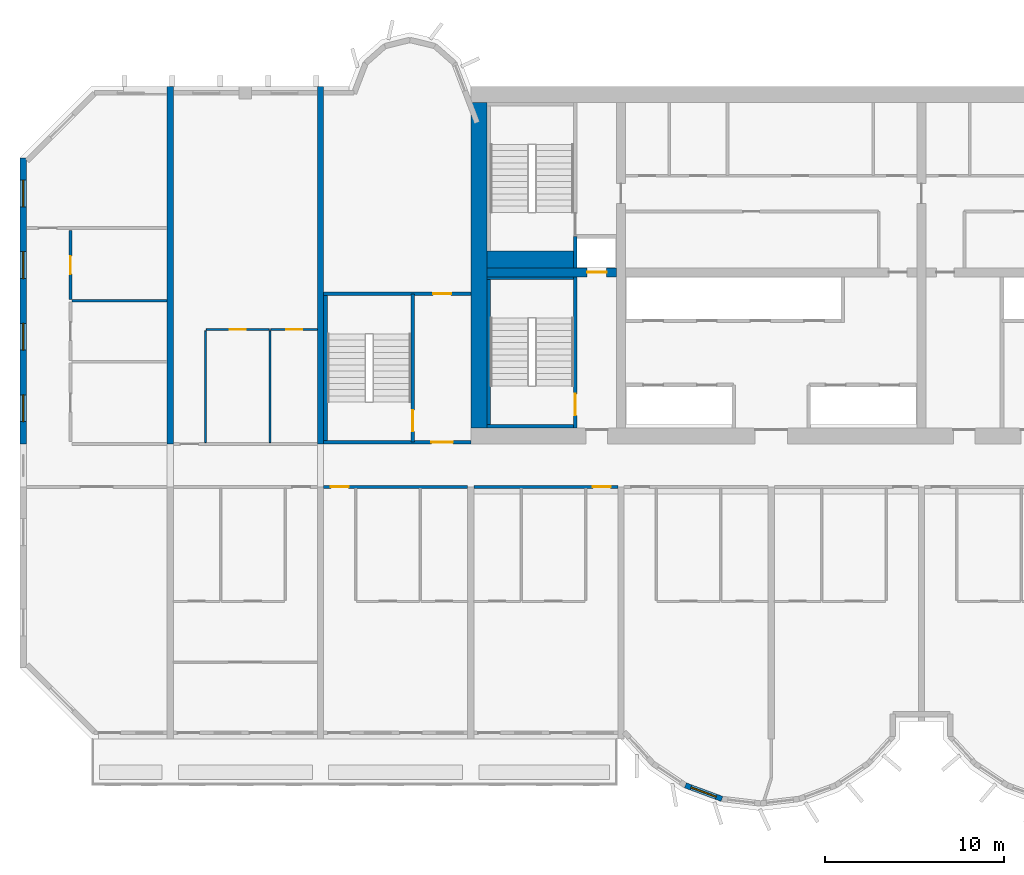
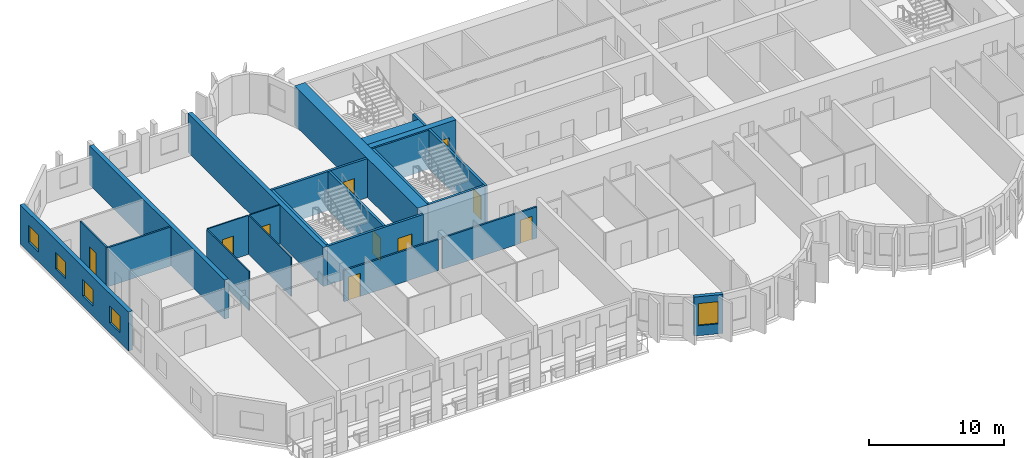
# One storey, part 4 of 14: 24 walls, 10 doors, 5 windows, 15 openings.
"""IFC4 building model written with IfcOpenShell, lengths in metres."""

from ifc_helpers import new_model, si_unit, direction, frame, frame_2d, origin, place, context, subcontext, project, spatial, rectangle, extrude, source, transform, mapped, material, layer, layer_set, type_object, element, fill, save


model = new_model("IFC4")

# Units and contexts
model_context = context("Model", 3, precision=1e-05, world=origin(), true_north=direction((0.0, 1.0)))
body_context = subcontext(model_context, "Body", "Model", "MODEL_VIEW")
ifc_project = project(units=[si_unit("LENGTHUNIT", "METRE"), si_unit("AREAUNIT", "SQUARE_METRE"), si_unit("VOLUMEUNIT", "CUBIC_METRE"), si_unit("PLANEANGLEUNIT", "RADIAN"), si_unit("MASSUNIT", "GRAM", prefix="KILO")], contexts=[model_context])

# Site, building, storey
site_placement = place(None, origin())
site = spatial("IfcSite", under=ifc_project, at=site_placement, CompositionType="ELEMENT")
building_placement = place(site_placement, origin())
building = spatial("IfcBuilding", under=site, at=building_placement, Name="Vanashikhar Sky Hotel", CompositionType="ELEMENT")
storey_placement = place(building_placement, frame((0.0, 0.0, 121.800048828125)))
storey = spatial("IfcBuildingStorey", under=building, at=storey_placement, Name="L29", CompositionType="ELEMENT", Elevation=121.800048828125)

# Wall
ifc_material_1 = material(Name="Concrete M70", Category="concrete")
ifc_layer_1 = layer(ifc_material_1, 0.89990234375)
ifc_layer_set_1 = layer_set([ifc_layer_1], Name="RC core shell wall 900 Concrete M70")
wall_type_1 = type_object("IfcWallType", Name="RC core shell wall 900 Concrete M70", PredefinedType="SHEAR", material=ifc_layer_set_1)
shared_shape_1 = source(origin(), body_context, "Body", "SweptSolid", [
    extrude(rectangle(XDim=18.2001953125, YDim=0.89990234375, at=frame_2d((9.10009765625, 0.0))), origin(), (0.0, 0.0, 1.0), 3.52001953125),
])
wall_1_placement = place(storey_placement, frame((25.64990234375, 22.89990234375, 0.0), z_axis=(0.0, 0.0, 1.0), x_axis=(0.0, 1.0, 0.0)))
element("IfcWall", 1, at=wall_1_placement, inside=storey, type_object=wall_type_1, Name="KW-L29-KW", PredefinedType="SHEAR", context=body_context, shape_type="MappedRepresentation", body=[
    mapped(shared_shape_1, transform((0.0, 0.0, 0.0), scale=1.0)),
])

# Wall, opening, door
ifc_layer_2 = layer(ifc_material_1, 0.5)
ifc_layer_set_2 = layer_set([ifc_layer_2], Name="RC core inner wall 500 Concrete M70")
wall_type_2 = type_object("IfcWallType", Name="RC core inner wall 500 Concrete M70", PredefinedType="SHEAR", material=ifc_layer_set_2)
shared_shape_2 = source(origin(), body_context, "Body", "SweptSolid", [
    extrude(rectangle(XDim=7.25, YDim=0.5, at=frame_2d((3.625, 0.0))), origin(), (0.0, 0.0, 1.0), 3.52001953125),
])
wall_2_placement = place(storey_placement, frame((26.10009765625, 31.60009765625, 0.0), z_axis=(0.0, 0.0, 1.0), x_axis=(1.0, 0.0, 0.0)))
wall_2 = element("IfcWall", 2, at=wall_2_placement, inside=storey, type_object=wall_type_2, Name="KW-L29-KY1", PredefinedType="SHEAR", context=body_context, shape_type="MappedRepresentation", body=[
    mapped(shared_shape_2, transform((0.0, 0.0, 0.0), scale=1.0)),
])
shared_shape_3 = source(origin(), body_context, "Body", "SweptSolid", [
    extrude(rectangle(XDim=1.10009765625, YDim=2.10009765625, at=frame_2d((0.550048828125, 1.050048828125))), frame((0.0, 0.260009765625, 0.0), z_axis=(0.0, -1.0, 0.0), x_axis=(1.0, 0.0, 0.0)), (0.0, 0.0, 1.0), 0.52001953125),
])
opening_1_placement = place(wall_2_placement, frame((5.60009765625, 0.0, 0.0)))
opening_1 = element("IfcOpeningElement", 3, at=opening_1_placement, cuts=wall_2, Name="Opening LD", PredefinedType="OPENING", context=body_context, shape_type="MappedRepresentation", body=[
    mapped(shared_shape_3, transform((0.0, 0.0, 0.0), scale=1.0)),
])
ifc_material_2 = material(Name="Stainless steel", Category="steel")
door_type_1 = type_object("IfcDoorType", Name="Lift landing door 1100", OperationType="NOTDEFINED", PredefinedType="DOOR", material=ifc_material_2)
shared_shape_4 = source(origin(), body_context, "Body", "SweptSolid", [
    extrude(rectangle(XDim=1.10009765625, YDim=2.10009765625, at=frame_2d((0.550048828125, 1.050048828125))), frame((0.0, 0.02490234375, 0.0), z_axis=(0.0, -1.0, 0.0), x_axis=(1.0, 0.0, 0.0)), (0.0, 0.0, 1.0), 0.050048828125),
])
door_1_placement = place(opening_1_placement, origin())
door_1 = element("IfcDoor", 4, at=door_1_placement, inside=storey, type_object=door_type_1, Name="Lift landing door 1100", OperationType="SLIDING_TO_LEFT", OverallHeight=2.10009765625, OverallWidth=1.10009765625, PredefinedType="DOOR", context=body_context, shape_type="MappedRepresentation", body=[
    mapped(shared_shape_4, transform((0.0, 0.0, 0.0), scale=1.0)),
])
fill(opening_1, door_1)

# Wall, openings, windows
ifc_layer_3 = layer(ifc_material_1, 0.35009765625)
ifc_layer_set_3 = layer_set([ifc_layer_3], Name="RC shear wall 350 Concrete M70")
wall_type_3 = type_object("IfcWallType", Name="RC shear wall 350 Concrete M70", PredefinedType="SHEAR", material=ifc_layer_set_3)
shared_shape_5 = source(origin(), body_context, "Body", "SweptSolid", [
    extrude(rectangle(XDim=16.0, YDim=0.35009765625, at=frame_2d((8.0, 0.0))), origin(), (0.0, 0.0, 1.0), 3.52001953125),
])
wall_3_placement = place(storey_placement, frame((0.175048828125, 22.0, 0.0), z_axis=(0.0, 0.0, 1.0), x_axis=(0.0, 1.0, 0.0)))
wall_3 = element("IfcWall", 5, at=wall_3_placement, inside=storey, type_object=wall_type_3, Name="CW-L29-XW01-2", PredefinedType="SHEAR", context=body_context, shape_type="MappedRepresentation", body=[
    mapped(shared_shape_5, transform((0.0, 0.0, 0.0), scale=1.0)),
])
shared_shape_6 = source(origin(), body_context, "Body", "SweptSolid", [
    extrude(rectangle(XDim=1.5, YDim=1.5, at=frame_2d((0.75, 0.75))), frame((0.0, 0.18505859375, 0.0), z_axis=(0.0, -1.0, 0.0), x_axis=(1.0, 0.0, 0.0)), (0.0, 0.0, 1.0), 0.3701171875),
])
opening_2_placement = place(wall_3_placement, frame((1.25, 0.0, 0.89990234375)))
opening_2 = element("IfcOpeningElement", 6, at=opening_2_placement, cuts=wall_3, Name="Opening WN-1", PredefinedType="OPENING", context=body_context, shape_type="MappedRepresentation", body=[
    mapped(shared_shape_6, transform((0.0, 0.0, 0.0), scale=1.0)),
])
opening_3_placement = place(wall_3_placement, frame((5.25, 0.0, 0.89990234375)))
opening_3 = element("IfcOpeningElement", 7, at=opening_3_placement, cuts=wall_3, Name="Opening WN-1", PredefinedType="OPENING", context=body_context, shape_type="MappedRepresentation", body=[
    mapped(shared_shape_6, transform((0.0, 0.0, 0.0), scale=1.0)),
])
opening_4_placement = place(wall_3_placement, frame((9.25, 0.0, 0.89990234375)))
opening_4 = element("IfcOpeningElement", 8, at=opening_4_placement, cuts=wall_3, Name="Opening WN-1", PredefinedType="OPENING", context=body_context, shape_type="MappedRepresentation", body=[
    mapped(shared_shape_6, transform((0.0, 0.0, 0.0), scale=1.0)),
])
opening_5_placement = place(wall_3_placement, frame((13.25, 0.0, 0.89990234375)))
opening_5 = element("IfcOpeningElement", 9, at=opening_5_placement, cuts=wall_3, Name="Opening WN-1", PredefinedType="OPENING", context=body_context, shape_type="MappedRepresentation", body=[
    mapped(shared_shape_6, transform((0.0, 0.0, 0.0), scale=1.0)),
])
ifc_material_3 = material(Name="Glass", Category="glass")
window_type_1 = type_object("IfcWindowType", Name="Window 1500 x 1500", PartitioningType="SINGLE_PANEL", PredefinedType="WINDOW", material=ifc_material_3)
shared_shape_7 = source(origin(), body_context, "Body", "SweptSolid", [
    extrude(rectangle(XDim=1.5, YDim=1.5, at=frame_2d((0.75, 0.75))), frame((0.0, 0.030029296875, 0.0), z_axis=(0.0, -1.0, 0.0), x_axis=(1.0, 0.0, 0.0)), (0.0, 0.0, 1.0), 0.06005859375),
])
window_1_placement = place(opening_2_placement, origin())
window_1 = element("IfcWindow", 10, at=window_1_placement, inside=storey, type_object=window_type_1, Name="Window WN-1", OverallHeight=1.5, OverallWidth=1.5, PartitioningType="SINGLE_PANEL", PredefinedType="WINDOW", context=body_context, shape_type="MappedRepresentation", body=[
    mapped(shared_shape_7, transform((0.0, 0.0, 0.0), scale=1.0)),
])
fill(opening_2, window_1)
window_2_placement = place(opening_3_placement, origin())
window_2 = element("IfcWindow", 11, at=window_2_placement, inside=storey, type_object=window_type_1, Name="Window WN-1", OverallHeight=1.5, OverallWidth=1.5, PartitioningType="SINGLE_PANEL", PredefinedType="WINDOW", context=body_context, shape_type="MappedRepresentation", body=[
    mapped(shared_shape_7, transform((0.0, 0.0, 0.0), scale=1.0)),
])
fill(opening_3, window_2)
window_3_placement = place(opening_4_placement, origin())
window_3 = element("IfcWindow", 12, at=window_3_placement, inside=storey, type_object=window_type_1, Name="Window WN-1", OverallHeight=1.5, OverallWidth=1.5, PartitioningType="SINGLE_PANEL", PredefinedType="WINDOW", context=body_context, shape_type="MappedRepresentation", body=[
    mapped(shared_shape_7, transform((0.0, 0.0, 0.0), scale=1.0)),
])
fill(opening_4, window_3)
window_4_placement = place(opening_5_placement, origin())
window_4 = element("IfcWindow", 13, at=window_4_placement, inside=storey, type_object=window_type_1, Name="Window WN-1", OverallHeight=1.5, OverallWidth=1.5, PartitioningType="SINGLE_PANEL", PredefinedType="WINDOW", context=body_context, shape_type="MappedRepresentation", body=[
    mapped(shared_shape_7, transform((0.0, 0.0, 0.0), scale=1.0)),
])
fill(opening_5, window_4)

# Walls
shared_shape_8 = source(origin(), body_context, "Body", "SweptSolid", [
    extrude(rectangle(XDim=20.0, YDim=0.35009765625, at=frame_2d((10.0, 0.0))), origin(), (0.0, 0.0, 1.0), 3.52001953125),
])
for number, where, z_axis, x_axis, name in (
    (14, (8.39990234375, 22.0, 0.0), (0.0, 0.0, 1.0), (0.0, 1.0, 0.0), "CW-L29-XW02-2"),
    (15, (16.800048828125, 22.0, 0.0), (0.0, 0.0, 1.0), (0.0, 1.0, 0.0), "CW-L29-XW03-2"),
):
    element("IfcWall", number, at=place(storey_placement, frame(where, z_axis=z_axis, x_axis=x_axis)), inside=storey, type_object=wall_type_3, Name=name, PredefinedType="SHEAR", context=body_context, shape_type="MappedRepresentation", body=[
        mapped(shared_shape_8, transform((0.0, 0.0, 0.0), scale=1.0)),
    ])

# Wall, opening, window
ifc_material_4 = material(Name="Concrete M50", Category="concrete")
ifc_layer_4 = layer(ifc_material_4, 0.300048828125)
ifc_layer_set_4 = layer_set([ifc_layer_4], Name="Lobe wall 300")
wall_type_4 = type_object("IfcWallType", Name="Lobe wall 300", PredefinedType="SOLIDWALL", material=ifc_layer_set_4)
shared_shape_9 = source(origin(), body_context, "Body", "SweptSolid", [
    extrude(rectangle(XDim=2.17578125, YDim=0.300048828125, at=frame_2d((1.087890625, 0.0))), origin(), (0.0, 0.0, 1.0), 3.52001953125),
])
wall_4_placement = place(storey_placement, frame((37.20068359375, 2.91650390625, 0.0), z_axis=(0.0, 0.0, 1.0), x_axis=(0.93754555999, -0.347862505801, 0.0)))
wall_4 = element("IfcWall", 16, at=wall_4_placement, inside=storey, type_object=wall_type_4, Name="Lobe wall", PredefinedType="SOLIDWALL", context=body_context, shape_type="MappedRepresentation", body=[
    mapped(shared_shape_9, transform((0.0, 0.0, 0.0), scale=1.0)),
])
shared_shape_10 = source(origin(), body_context, "Body", "SweptSolid", [
    extrude(rectangle(XDim=1.5, YDim=2.0, at=frame_2d((0.75, 1.0))), frame((0.0, 0.16015625, 0.0), z_axis=(0.0, -1.0, 0.0), x_axis=(1.0, 0.0, 0.0)), (0.0, 0.0, 1.0), 0.320068359375),
])
opening_6_placement = place(wall_4_placement, frame((0.337890625, 0.0, 0.89990234375)))
opening_6 = element("IfcOpeningElement", 17, at=opening_6_placement, cuts=wall_4, Name="Opening WN-2", PredefinedType="OPENING", context=body_context, shape_type="MappedRepresentation", body=[
    mapped(shared_shape_10, transform((0.0, 0.0, 0.0), scale=1.0)),
])
window_type_2 = type_object("IfcWindowType", Name="Lobe window 1500 x 2000", PartitioningType="SINGLE_PANEL", PredefinedType="WINDOW", material=ifc_material_3)
shared_shape_11 = source(origin(), body_context, "Body", "SweptSolid", [
    extrude(rectangle(XDim=1.5, YDim=2.0, at=frame_2d((0.75, 1.0))), frame((0.0, 0.030029296875, 0.0), z_axis=(0.0, -1.0, 0.0), x_axis=(1.0, 0.0, 0.0)), (0.0, 0.0, 1.0), 0.06005859375),
])
window_5_placement = place(opening_6_placement, origin())
window_5 = element("IfcWindow", 18, at=window_5_placement, inside=storey, type_object=window_type_2, Name="Window WN-2", OverallHeight=2.0, OverallWidth=1.5, PartitioningType="SINGLE_PANEL", PredefinedType="WINDOW", context=body_context, shape_type="MappedRepresentation", body=[
    mapped(shared_shape_11, transform((0.0, 0.0, 0.0), scale=1.0)),
])
fill(opening_6, window_5)

# Wall, opening, door
ifc_layer_5 = layer(ifc_material_4, 0.199951171875)
ifc_layer_set_5 = layer_set([ifc_layer_5], Name="Stair wall 200")
wall_type_5 = type_object("IfcWallType", Name="Stair wall 200", PredefinedType="SOLIDWALL", material=ifc_layer_set_5)
shared_shape_12 = source(origin(), body_context, "Body", "SweptSolid", [
    extrude(rectangle(XDim=8.2998046875, YDim=0.199951171875, at=frame_2d((4.14990234375, 0.0))), origin(), (0.0, 0.0, 1.0), 3.52001953125),
])
wall_5_placement = place(storey_placement, frame((21.949951171875, 22.10009765625, 0.0), z_axis=(0.0, 0.0, 1.0), x_axis=(0.0, 1.0, 0.0)))
wall_5 = element("IfcWall", 19, at=wall_5_placement, inside=storey, type_object=wall_type_5, Name="Stair wall 200", PredefinedType="SOLIDWALL", context=body_context, shape_type="MappedRepresentation", body=[
    mapped(shared_shape_12, transform((0.0, 0.0, 0.0), scale=1.0)),
])
shared_shape_13 = source(origin(), body_context, "Body", "SweptSolid", [
    extrude(rectangle(XDim=1.199951171875, YDim=2.10009765625, at=frame_2d((0.60009765625, 1.050048828125))), frame((0.0, 0.10986328125, 0.0), z_axis=(0.0, -1.0, 0.0), x_axis=(1.0, 0.0, 0.0)), (0.0, 0.0, 1.0), 0.219970703125),
])
opening_7_placement = place(wall_5_placement, frame((0.60009765625, 0.0, 0.0)))
opening_7 = element("IfcOpeningElement", 20, at=opening_7_placement, cuts=wall_5, Name="Opening DC-1", PredefinedType="OPENING", context=body_context, shape_type="MappedRepresentation", body=[
    mapped(shared_shape_13, transform((0.0, 0.0, 0.0), scale=1.0)),
])
ifc_material_5 = material(Name="Steel", Category="steel")
door_type_2 = type_object("IfcDoorType", Name="Stair door 1200 FD120", OperationType="NOTDEFINED", PredefinedType="DOOR", material=ifc_material_5)
shared_shape_14 = source(origin(), body_context, "Body", "SweptSolid", [
    extrude(rectangle(XDim=1.199951171875, YDim=2.10009765625, at=frame_2d((0.60009765625, 1.050048828125))), frame((0.0, 0.02490234375, 0.0), z_axis=(0.0, -1.0, 0.0), x_axis=(1.0, 0.0, 0.0)), (0.0, 0.0, 1.0), 0.050048828125),
])
door_2_placement = place(opening_7_placement, origin())
door_2 = element("IfcDoor", 21, at=door_2_placement, inside=storey, type_object=door_type_2, Name="Stair door 1200 FD120", OperationType="SINGLE_SWING_RIGHT", OverallHeight=2.10009765625, OverallWidth=1.199951171875, PredefinedType="DOOR", context=body_context, shape_type="MappedRepresentation", body=[
    mapped(shared_shape_14, transform((0.0, 0.0, 0.0), scale=1.0)),
])
fill(opening_7, door_2)

shared_shape_15 = source(origin(), body_context, "Body", "SweptSolid", [
    extrude(rectangle(XDim=8.4501953125, YDim=0.199951171875, at=frame_2d((4.22509765625, 0.0))), origin(), (0.0, 0.0, 1.0), 3.52001953125),
])
wall_6_placement = place(storey_placement, frame((31.050048828125, 22.89990234375, 0.0), z_axis=(0.0, 0.0, 1.0), x_axis=(0.0, 1.0, 0.0)))
wall_6 = element("IfcWall", 22, at=wall_6_placement, inside=storey, type_object=wall_type_5, Name="Stair wall 200", PredefinedType="SOLIDWALL", context=body_context, shape_type="MappedRepresentation", body=[
    mapped(shared_shape_15, transform((0.0, 0.0, 0.0), scale=1.0)),
])
opening_8_placement = place(wall_6_placement, frame((0.699951171875, 0.0, 0.0)))
opening_8 = element("IfcOpeningElement", 23, at=opening_8_placement, cuts=wall_6, Name="Opening DC-1", PredefinedType="OPENING", context=body_context, shape_type="MappedRepresentation", body=[
    mapped(shared_shape_13, transform((0.0, 0.0, 0.0), scale=1.0)),
])
door_3_placement = place(opening_8_placement, origin())
door_3 = element("IfcDoor", 24, at=door_3_placement, inside=storey, type_object=door_type_2, Name="Stair door 1200 FD120", OperationType="SINGLE_SWING_LEFT", OverallHeight=2.10009765625, OverallWidth=1.199951171875, PredefinedType="DOOR", context=body_context, shape_type="MappedRepresentation", body=[
    mapped(shared_shape_14, transform((0.0, 0.0, 0.0), scale=1.0)),
])
fill(opening_8, door_3)

# Wall
ifc_material_6 = material(Name="Concrete M40", Category="concrete")
ifc_layer_6 = layer(ifc_material_6, 0.199951171875)
ifc_layer_set_6 = layer_set([ifc_layer_6], Name="Shaft wall 200")
wall_type_6 = type_object("IfcWallType", Name="Shaft wall 200", PredefinedType="SOLIDWALL", material=ifc_layer_set_6)
shared_shape_16 = source(origin(), body_context, "Body", "SweptSolid", [
    extrude(rectangle(XDim=1.75, YDim=0.199951171875, at=frame_2d((0.875, 0.0))), origin(), (0.0, 0.0, 1.0), 3.52001953125),
])
wall_7_placement = place(storey_placement, frame((31.050048828125, 31.85009765625, 0.0), z_axis=(0.0, 0.0, 1.0), x_axis=(0.0, 1.0, 0.0)))
element("IfcWall", 25, at=wall_7_placement, inside=storey, type_object=wall_type_6, Name="Shaft wall 200", PredefinedType="SOLIDWALL", context=body_context, shape_type="MappedRepresentation", body=[
    mapped(shared_shape_16, transform((0.0, 0.0, 0.0), scale=1.0)),
])

# Wall, opening, door
shared_shape_17 = source(origin(), body_context, "Body", "SweptSolid", [
    extrude(rectangle(XDim=8.224853515625, YDim=0.199951171875, at=frame_2d((4.1123046875, 0.0))), origin(), (0.0, 0.0, 1.0), 3.52001953125),
])
wall_8_placement = place(storey_placement, frame((16.97509765625, 22.10009765625, 0.0), z_axis=(0.0, 0.0, 1.0), x_axis=(1.0, 0.0, 0.0)))
wall_8 = element("IfcWall", 26, at=wall_8_placement, inside=storey, type_object=wall_type_5, Name="Stair wall 200", PredefinedType="SOLIDWALL", context=body_context, shape_type="MappedRepresentation", body=[
    mapped(shared_shape_17, transform((0.0, 0.0, 0.0), scale=1.0)),
])
opening_9_placement = place(wall_8_placement, frame((6.02490234375, 0.0, 0.0)))
opening_9 = element("IfcOpeningElement", 27, at=opening_9_placement, cuts=wall_8, Name="Opening DC-2", PredefinedType="OPENING", context=body_context, shape_type="MappedRepresentation", body=[
    mapped(shared_shape_13, transform((0.0, 0.0, 0.0), scale=1.0)),
])
door_type_3 = type_object("IfcDoorType", Name="Firefighting lobby door 1200 FD120", OperationType="NOTDEFINED", PredefinedType="DOOR", material=ifc_material_5)
door_4_placement = place(opening_9_placement, origin())
door_4 = element("IfcDoor", 28, at=door_4_placement, inside=storey, type_object=door_type_3, Name="Firefighting lobby door 1200 FD120", OperationType="SINGLE_SWING_LEFT", OverallHeight=2.10009765625, OverallWidth=1.199951171875, PredefinedType="DOOR", context=body_context, shape_type="MappedRepresentation", body=[
    mapped(shared_shape_14, transform((0.0, 0.0, 0.0), scale=1.0)),
])
fill(opening_9, door_4)

wall_9_placement = place(storey_placement, frame((16.97509765625, 30.39990234375, 0.0), z_axis=(0.0, 0.0, 1.0), x_axis=(1.0, 0.0, 0.0)))
wall_9 = element("IfcWall", 29, at=wall_9_placement, inside=storey, type_object=wall_type_5, Name="Stair wall 200", PredefinedType="SOLIDWALL", context=body_context, shape_type="MappedRepresentation", body=[
    mapped(shared_shape_17, transform((0.0, 0.0, 0.0), scale=1.0)),
])
shared_shape_18 = source(origin(), body_context, "Body", "SweptSolid", [
    extrude(rectangle(XDim=1.0, YDim=2.10009765625, at=frame_2d((0.5, 1.050048828125))), frame((0.0, 0.10986328125, 0.0), z_axis=(0.0, -1.0, 0.0), x_axis=(1.0, 0.0, 0.0)), (0.0, 0.0, 1.0), 0.219970703125),
])
opening_10_placement = place(wall_9_placement, frame((6.125, 0.0, 0.0)))
opening_10 = element("IfcOpeningElement", 30, at=opening_10_placement, cuts=wall_9, Name="Opening DC-6", PredefinedType="OPENING", context=body_context, shape_type="MappedRepresentation", body=[
    mapped(shared_shape_18, transform((0.0, 0.0, 0.0), scale=1.0)),
])
door_type_4 = type_object("IfcDoorType", Name="Pocket door 1000 FD60", OperationType="NOTDEFINED", PredefinedType="DOOR", material=ifc_material_5)
shared_shape_19 = source(origin(), body_context, "Body", "SweptSolid", [
    extrude(rectangle(XDim=1.0, YDim=2.10009765625, at=frame_2d((0.5, 1.050048828125))), frame((0.0, 0.02490234375, 0.0), z_axis=(0.0, -1.0, 0.0), x_axis=(1.0, 0.0, 0.0)), (0.0, 0.0, 1.0), 0.050048828125),
])
door_5_placement = place(opening_10_placement, origin())
door_5 = element("IfcDoor", 31, at=door_5_placement, inside=storey, type_object=door_type_4, Name="Pocket door 1000 FD60", OperationType="SINGLE_SWING_LEFT", OverallHeight=2.10009765625, OverallWidth=1.0, PredefinedType="DOOR", context=body_context, shape_type="MappedRepresentation", body=[
    mapped(shared_shape_19, transform((0.0, 0.0, 0.0), scale=1.0)),
])
fill(opening_10, door_5)

# Walls
ifc_layer_7 = layer(ifc_material_4, 0.199951171875)
ifc_layer_set_7 = layer_set([ifc_layer_7], Name="Stair infill wall 200")
wall_type_7 = type_object("IfcWallType", Name="Stair infill wall 200", PredefinedType="SOLIDWALL", material=ifc_layer_set_7)
shared_shape_20 = source(origin(), body_context, "Body", "SweptSolid", [
    extrude(rectangle(XDim=4.849853515625, YDim=0.199951171875, at=frame_2d((2.4248046875, 0.0))), origin(), (0.0, 0.0, 1.0), 3.52001953125),
])
wall_10_placement = place(storey_placement, frame((26.10009765625, 23.0, 0.0), z_axis=(0.0, 0.0, 1.0), x_axis=(1.0, 0.0, 0.0)))
element("IfcWall", 32, at=wall_10_placement, inside=storey, type_object=wall_type_7, Name="Stair infill wall 200", PredefinedType="SOLIDWALL", context=body_context, shape_type="MappedRepresentation", body=[
    mapped(shared_shape_20, transform((0.0, 0.0, 0.0), scale=1.0)),
])
ifc_layer_8 = layer(ifc_material_4, 0.14990234375)
ifc_layer_set_8 = layer_set([ifc_layer_8], Name="Stair infill wall 150")
wall_type_8 = type_object("IfcWallType", Name="Stair infill wall 150", PredefinedType="SOLIDWALL", material=ifc_layer_set_8)
shared_shape_21 = source(origin(), body_context, "Body", "SweptSolid", [
    extrude(rectangle(XDim=4.849853515625, YDim=0.14990234375, at=frame_2d((2.4248046875, 0.0))), origin(), (0.0, 0.0, 1.0), 3.52001953125),
])
wall_11_placement = place(storey_placement, frame((26.10009765625, 31.27490234375, 0.0), z_axis=(0.0, 0.0, 1.0), x_axis=(1.0, 0.0, 0.0)))
element("IfcWall", 33, at=wall_11_placement, inside=storey, type_object=wall_type_8, Name="Stair infill wall 150", PredefinedType="SOLIDWALL", context=body_context, shape_type="MappedRepresentation", body=[
    mapped(shared_shape_21, transform((0.0, 0.0, 0.0), scale=1.0)),
])
shared_shape_22 = source(origin(), body_context, "Body", "SweptSolid", [
    extrude(rectangle(XDim=8.099853515625, YDim=0.199951171875, at=frame_2d((4.0498046875, 0.0))), origin(), (0.0, 0.0, 1.0), 3.52001953125),
])
wall_12_placement = place(storey_placement, frame((26.199951171875, 23.10009765625, 0.0), z_axis=(0.0, 0.0, 1.0), x_axis=(0.0, 1.0, 0.0)))
element("IfcWall", 34, at=wall_12_placement, inside=storey, type_object=wall_type_7, Name="Stair infill wall 200", PredefinedType="SOLIDWALL", context=body_context, shape_type="MappedRepresentation", body=[
    mapped(shared_shape_22, transform((0.0, 0.0, 0.0), scale=1.0)),
])
ifc_layer_9 = layer(ifc_material_4, 0.22509765625)
ifc_layer_set_9 = layer_set([ifc_layer_9], Name="Stair infill wall 225")
wall_type_9 = type_object("IfcWallType", Name="Stair infill wall 225", PredefinedType="SOLIDWALL", material=ifc_layer_set_9)
shared_shape_23 = source(origin(), body_context, "Body", "SweptSolid", [
    extrude(rectangle(XDim=8.10009765625, YDim=0.22509765625, at=frame_2d((4.050048828125, 0.0))), origin(), (0.0, 0.0, 1.0), 3.52001953125),
])
wall_13_placement = place(storey_placement, frame((17.0869140625, 22.199951171875, 0.0), z_axis=(0.0, 0.0, 1.0), x_axis=(0.0, 1.0, 0.0)))
element("IfcWall", 35, at=wall_13_placement, inside=storey, type_object=wall_type_9, Name="Stair infill wall 225", PredefinedType="SOLIDWALL", context=body_context, shape_type="MappedRepresentation", body=[
    mapped(shared_shape_23, transform((0.0, 0.0, 0.0), scale=1.0)),
])
ifc_layer_10 = layer(ifc_material_4, 0.949951171875)
ifc_layer_set_10 = layer_set([ifc_layer_10], Name="Stair infill wall 950")
wall_type_10 = type_object("IfcWallType", Name="Stair infill wall 950", PredefinedType="SOLIDWALL", material=ifc_layer_set_10)
shared_shape_24 = source(origin(), body_context, "Body", "SweptSolid", [
    extrude(rectangle(XDim=4.849853515625, YDim=0.949951171875, at=frame_2d((2.4248046875, 0.0))), origin(), (0.0, 0.0, 1.0), 3.52001953125),
])
wall_14_placement = place(storey_placement, frame((26.10009765625, 32.324951171875, 0.0), z_axis=(0.0, 0.0, 1.0), x_axis=(1.0, 0.0, 0.0)))
element("IfcWall", 36, at=wall_14_placement, inside=storey, type_object=wall_type_10, Name="Stair infill wall 950", PredefinedType="SOLIDWALL", context=body_context, shape_type="MappedRepresentation", body=[
    mapped(shared_shape_24, transform((0.0, 0.0, 0.0), scale=1.0)),
])

# Wall, opening, door
ifc_material_7 = material(Name="Gypsum plasterboard partition")
ifc_layer_11 = layer(ifc_material_7, 0.14990234375)
ifc_layer_set_11 = layer_set([ifc_layer_11], Name="Corridor and demising partition 150")
wall_type_11 = type_object("IfcWallType", Name="Corridor and demising partition 150", PredefinedType="PARTITIONING", material=ifc_layer_set_11)
shared_shape_25 = source(origin(), body_context, "Body", "SweptSolid", [
    extrude(rectangle(XDim=3.85009765625, YDim=0.14990234375, at=frame_2d((1.925048828125, 0.0))), origin(), (0.0, 0.0, 1.0), 3.52001953125),
])
wall_15_placement = place(storey_placement, frame((2.824951171875, 30.074951171875, 0.0), z_axis=(0.0, 0.0, 1.0), x_axis=(0.0, 1.0, 0.0)))
wall_15 = element("IfcWall", 37, at=wall_15_placement, inside=storey, type_object=wall_type_11, Name="W-L29-PW064", PredefinedType="PARTITIONING", context=body_context, shape_type="MappedRepresentation", body=[
    mapped(shared_shape_25, transform((0.0, 0.0, 0.0), scale=1.0)),
])
shared_shape_26 = source(origin(), body_context, "Body", "SweptSolid", [
    extrude(rectangle(XDim=1.0, YDim=2.10009765625, at=frame_2d((0.5, 1.050048828125))), frame((0.0, 0.0849609375, 0.0), z_axis=(0.0, -1.0, 0.0), x_axis=(1.0, 0.0, 0.0)), (0.0, 0.0, 1.0), 0.169921875),
])
opening_11_placement = place(wall_15_placement, frame((1.425048828125, 0.0, 0.0)))
opening_11 = element("IfcOpeningElement", 38, at=opening_11_placement, cuts=wall_15, Name="Opening D-01", PredefinedType="OPENING", context=body_context, shape_type="MappedRepresentation", body=[
    mapped(shared_shape_26, transform((0.0, 0.0, 0.0), scale=1.0)),
])
ifc_material_8 = material(Name="Timber fire door", Category="wood")
door_type_5 = type_object("IfcDoorType", Name="Guest entry door 1000 FD30S", OperationType="NOTDEFINED", PredefinedType="DOOR", material=ifc_material_8)
door_6_placement = place(opening_11_placement, origin())
door_6 = element("IfcDoor", 39, at=door_6_placement, inside=storey, type_object=door_type_5, Name="D-L29-038", OperationType="SINGLE_SWING_LEFT", OverallHeight=2.10009765625, OverallWidth=1.0, PredefinedType="DOOR", context=body_context, shape_type="MappedRepresentation", body=[
    mapped(shared_shape_19, transform((0.0, 0.0, 0.0), scale=1.0)),
])
fill(opening_11, door_6)

ifc_layer_12 = layer(ifc_material_7, 0.10009765625)
ifc_layer_set_12 = layer_set([ifc_layer_12], Name="Wet room partition 100")
wall_type_12 = type_object("IfcWallType", Name="Wet room partition 100", PredefinedType="PARTITIONING", material=ifc_layer_set_12)
shared_shape_27 = source(origin(), body_context, "Body", "SweptSolid", [
    extrude(rectangle(XDim=3.5, YDim=0.10009765625, at=frame_2d((1.75, 0.0))), origin(), (0.0, 0.0, 1.0), 3.52001953125),
])
wall_16_placement = place(storey_placement, frame((10.425048828125, 28.39990234375, 0.0), z_axis=(0.0, 0.0, 1.0), x_axis=(1.0, 0.0, 0.0)))
wall_16 = element("IfcWall", 40, at=wall_16_placement, inside=storey, type_object=wall_type_12, Name="W-L29-PW068", PredefinedType="PARTITIONING", context=body_context, shape_type="MappedRepresentation", body=[
    mapped(shared_shape_27, transform((0.0, 0.0, 0.0), scale=1.0)),
])
shared_shape_28 = source(origin(), body_context, "Body", "SweptSolid", [
    extrude(rectangle(XDim=0.89990234375, YDim=2.10009765625, at=frame_2d((0.449951171875, 1.050048828125))), frame((0.0, 0.06005859375, 0.0), z_axis=(0.0, -1.0, 0.0), x_axis=(1.0, 0.0, 0.0)), (0.0, 0.0, 1.0), 0.1201171875),
])
opening_12_placement = place(wall_16_placement, frame((1.300048828125, 0.0, 0.0)))
opening_12 = element("IfcOpeningElement", 41, at=opening_12_placement, cuts=wall_16, Name="Opening D-02", PredefinedType="OPENING", context=body_context, shape_type="MappedRepresentation", body=[
    mapped(shared_shape_28, transform((0.0, 0.0, 0.0), scale=1.0)),
])
ifc_material_9 = material(Name="Timber door", Category="wood")
door_type_6 = type_object("IfcDoorType", Name="Internal door 900", OperationType="NOTDEFINED", PredefinedType="DOOR", material=ifc_material_9)
shared_shape_29 = source(origin(), body_context, "Body", "SweptSolid", [
    extrude(rectangle(XDim=0.89990234375, YDim=2.10009765625, at=frame_2d((0.449951171875, 1.050048828125))), frame((0.0, 0.02490234375, 0.0), z_axis=(0.0, -1.0, 0.0), x_axis=(1.0, 0.0, 0.0)), (0.0, 0.0, 1.0), 0.050048828125),
])
door_7_placement = place(opening_12_placement, origin())
door_7 = element("IfcDoor", 42, at=door_7_placement, inside=storey, type_object=door_type_6, Name="D-L29-040", OperationType="SINGLE_SWING_LEFT", OverallHeight=2.10009765625, OverallWidth=0.89990234375, PredefinedType="DOOR", context=body_context, shape_type="MappedRepresentation", body=[
    mapped(shared_shape_29, transform((0.0, 0.0, 0.0), scale=1.0)),
])
fill(opening_12, door_7)

# Walls
shared_shape_30 = source(origin(), body_context, "Body", "SweptSolid", [
    extrude(rectangle(XDim=6.25, YDim=0.10009765625, at=frame_2d((3.125, 0.0))), origin(), (0.0, 0.0, 1.0), 3.52001953125),
])
for number, where, z_axis, x_axis, name in (
    (43, (10.375, 22.074951171875, 0.0), (0.0, 0.0, 1.0), (0.0, 1.0, 0.0), "W-L29-PW066"),
    (44, (13.97509765625, 22.074951171875, 0.0), (0.0, 0.0, 1.0), (0.0, 1.0, 0.0), "W-L29-PW067"),
):
    element("IfcWall", number, at=place(storey_placement, frame(where, z_axis=z_axis, x_axis=x_axis)), inside=storey, type_object=wall_type_12, Name=name, PredefinedType="PARTITIONING", context=body_context, shape_type="MappedRepresentation", body=[
        mapped(shared_shape_30, transform((0.0, 0.0, 0.0), scale=1.0)),
    ])

# Wall, opening, door
shared_shape_31 = source(origin(), body_context, "Body", "SweptSolid", [
    extrude(rectangle(XDim=2.60009765625, YDim=0.10009765625, at=frame_2d((1.300048828125, 0.0))), origin(), (0.0, 0.0, 1.0), 3.52001953125),
])
wall_17_placement = place(storey_placement, frame((14.02490234375, 28.39990234375, 0.0), z_axis=(0.0, 0.0, 1.0), x_axis=(1.0, 0.0, 0.0)))
wall_17 = element("IfcWall", 45, at=wall_17_placement, inside=storey, type_object=wall_type_12, Name="W-L29-PW069", PredefinedType="PARTITIONING", context=body_context, shape_type="MappedRepresentation", body=[
    mapped(shared_shape_31, transform((0.0, 0.0, 0.0), scale=1.0)),
])
opening_13_placement = place(wall_17_placement, frame((0.85009765625, 0.0, 0.0)))
opening_13 = element("IfcOpeningElement", 46, at=opening_13_placement, cuts=wall_17, Name="Opening D-02", PredefinedType="OPENING", context=body_context, shape_type="MappedRepresentation", body=[
    mapped(shared_shape_28, transform((0.0, 0.0, 0.0), scale=1.0)),
])
door_8_placement = place(opening_13_placement, origin())
door_8 = element("IfcDoor", 47, at=door_8_placement, inside=storey, type_object=door_type_6, Name="D-L29-041", OperationType="SINGLE_SWING_LEFT", OverallHeight=2.10009765625, OverallWidth=0.89990234375, PredefinedType="DOOR", context=body_context, shape_type="MappedRepresentation", body=[
    mapped(shared_shape_29, transform((0.0, 0.0, 0.0), scale=1.0)),
])
fill(opening_13, door_8)

shared_shape_32 = source(origin(), body_context, "Body", "SweptSolid", [
    extrude(rectangle(XDim=8.050048828125, YDim=0.14990234375, at=frame_2d((4.02490234375, 0.0))), origin(), (0.0, 0.0, 1.0), 2.820068359375),
])
wall_18_placement = place(storey_placement, frame((25.375, 19.60009765625, 0.0), z_axis=(0.0, 0.0, 1.0), x_axis=(1.0, 0.0, 0.0)))
wall_18 = element("IfcWall", 48, at=wall_18_placement, inside=storey, type_object=wall_type_11, Name="W-L29-PW017", PredefinedType="PARTITIONING", context=body_context, shape_type="MappedRepresentation", body=[
    mapped(shared_shape_32, transform((0.0, 0.0, 0.0), scale=1.0)),
])
opening_14_placement = place(wall_18_placement, frame((6.64990234375, 0.0, 0.0)))
opening_14 = element("IfcOpeningElement", 49, at=opening_14_placement, cuts=wall_18, Name="Opening D-01", PredefinedType="OPENING", context=body_context, shape_type="MappedRepresentation", body=[
    mapped(shared_shape_26, transform((0.0, 0.0, 0.0), scale=1.0)),
])
door_9_placement = place(opening_14_placement, origin())
door_9 = element("IfcDoor", 50, at=door_9_placement, inside=storey, type_object=door_type_5, Name="D-L29-011", OperationType="SINGLE_SWING_RIGHT", OverallHeight=2.10009765625, OverallWidth=1.0, PredefinedType="DOOR", context=body_context, shape_type="MappedRepresentation", body=[
    mapped(shared_shape_19, transform((0.0, 0.0, 0.0), scale=1.0)),
])
fill(opening_14, door_9)

shared_shape_33 = source(origin(), body_context, "Body", "SweptSolid", [
    extrude(rectangle(XDim=8.0498046875, YDim=0.14990234375, at=frame_2d((4.02490234375, 0.0))), origin(), (0.0, 0.0, 1.0), 2.820068359375),
])
wall_19_placement = place(storey_placement, frame((16.97509765625, 19.60009765625, 0.0), z_axis=(0.0, 0.0, 1.0), x_axis=(1.0, 0.0, 0.0)))
wall_19 = element("IfcWall", 51, at=wall_19_placement, inside=storey, type_object=wall_type_11, Name="W-L29-PW012", PredefinedType="PARTITIONING", context=body_context, shape_type="MappedRepresentation", body=[
    mapped(shared_shape_33, transform((0.0, 0.0, 0.0), scale=1.0)),
])
opening_15_placement = place(wall_19_placement, frame((0.39990234375, 0.0, 0.0)))
opening_15 = element("IfcOpeningElement", 52, at=opening_15_placement, cuts=wall_19, Name="Opening D-01", PredefinedType="OPENING", context=body_context, shape_type="MappedRepresentation", body=[
    mapped(shared_shape_26, transform((0.0, 0.0, 0.0), scale=1.0)),
])
door_10_placement = place(opening_15_placement, origin())
door_10 = element("IfcDoor", 53, at=door_10_placement, inside=storey, type_object=door_type_5, Name="D-L29-008", OperationType="SINGLE_SWING_LEFT", OverallHeight=2.10009765625, OverallWidth=1.0, PredefinedType="DOOR", context=body_context, shape_type="MappedRepresentation", body=[
    mapped(shared_shape_19, transform((0.0, 0.0, 0.0), scale=1.0)),
])
fill(opening_15, door_10)

# Wall
shared_shape_34 = source(origin(), body_context, "Body", "SweptSolid", [
    extrude(rectangle(XDim=5.3251953125, YDim=0.14990234375, at=frame_2d((2.66259765625, 0.0))), origin(), (0.0, 0.0, 1.0), 3.52001953125),
])
wall_20_placement = place(storey_placement, frame((2.89990234375, 30.0, 0.0), z_axis=(0.0, 0.0, 1.0), x_axis=(1.0, 0.0, 0.0)))
element("IfcWall", 54, at=wall_20_placement, inside=storey, type_object=wall_type_11, Name="W-L29-PW063", PredefinedType="PARTITIONING", context=body_context, shape_type="MappedRepresentation", body=[
    mapped(shared_shape_34, transform((0.0, 0.0, 0.0), scale=1.0)),
])

save(model, "model.ifc")
